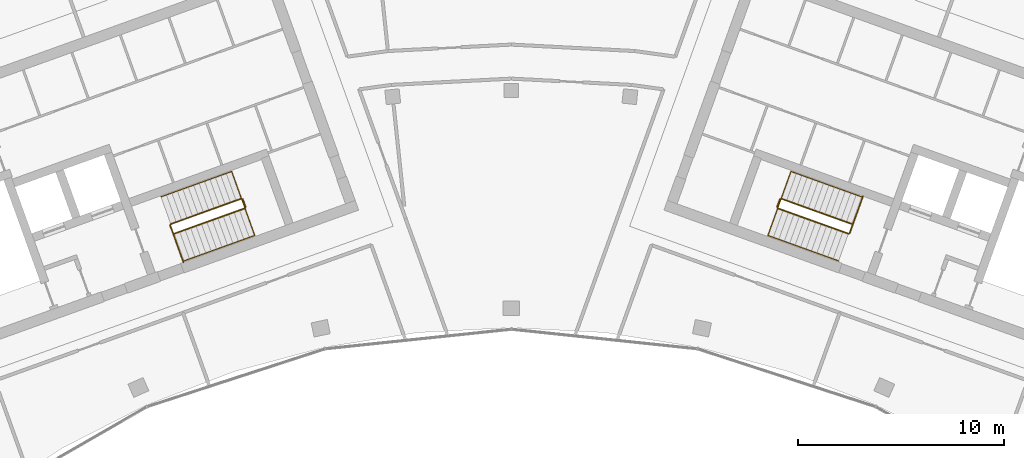
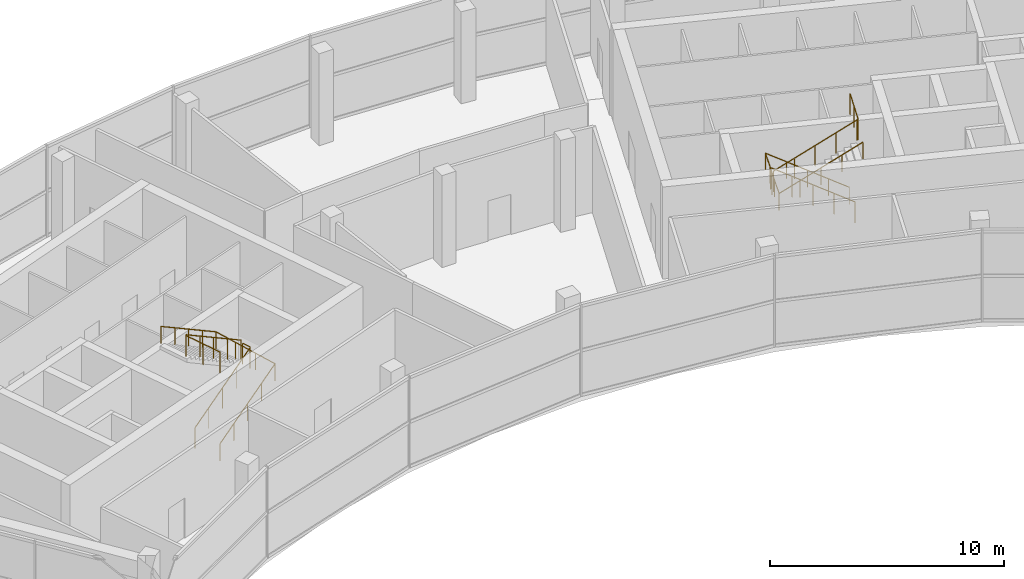
# One storey, part 13 of 13: 6 railings.
"""IFC4 building model written with IfcOpenShell, lengths in metres."""

import ifcopenshell
import ifcopenshell.guid

model = None  # the IFC model being written
_history = None  # IfcOwnerHistory: only IFC2X3 demands one
_inside = {}  # id of a spatial element -> (the spatial element, [elements in it])
_under = {}  # id of a project, library or spatial element -> (it, [spatial elements below it])
_declared = {}  # id of a project -> (the project, [libraries it declares])
_typed = {}  # id of a type object -> (the type object, [elements of that type])
_made_of = {}  # id of a material, layer set ... -> (it, [elements and type objects made of it])


def new_model(schema):
    """Start an empty IFC model of exactly this schema.

    Asked for "IFC4X3", IfcOpenShell would pick the latest addendum, in which some entities
    have other attributes; the version numbers below select the first issue.
    IFC2X3 requires an IfcOwnerHistory on every rooted entity: one is made here for all.
    """
    global model, _history
    if schema == "IFC4X3":
        model = ifcopenshell.file(schema_version=(4, 3, 0, 0))
    else:
        model = ifcopenshell.file(schema=schema)
    _inside.clear()
    _under.clear()
    _declared.clear()
    _typed.clear()
    _made_of.clear()
    _history = None
    if model.schema == "IFC2X3":
        org = make("IfcOrganization", Name="unknown")
        user = make(
            "IfcPersonAndOrganization",
            ThePerson=make("IfcPerson", FamilyName="unknown"),
            TheOrganization=org,
        )
        app = make(
            "IfcApplication",
            ApplicationDeveloper=org,
            Version="unknown",
            ApplicationFullName="unknown",
            ApplicationIdentifier="unknown",
        )
        _history = make(
            "IfcOwnerHistory",
            OwningUser=user,
            OwningApplication=app,
            ChangeAction="ADDED",
            CreationDate=0,
        )
    return model


def make(cls, **values):
    """One entity of the class cls with the attributes given. An attribute that is None is left unset."""
    return model.create_entity(
        cls, **{name: value for name, value in values.items() if value is not None}
    )


def rooted(cls, **values):
    """An entity with a GlobalId (a new one), such as an element, a storey or a relation."""
    return make(cls, GlobalId=ifcopenshell.guid.new(), OwnerHistory=_history, **values)


def si_unit(unit_type, name, prefix=None):
    """IfcSIUnit, for example si_unit("LENGTHUNIT", "METRE", prefix="MILLI")."""
    return make("IfcSIUnit", UnitType=unit_type, Prefix=prefix, Name=name)


def assignment(units):
    """IfcUnitAssignment: the units of a project."""
    return None if units is None else make("IfcUnitAssignment", Units=units)


def point(xyz):
    """IfcCartesianPoint."""
    return None if xyz is None else make("IfcCartesianPoint", Coordinates=xyz)


def direction(xyz):
    """IfcDirection."""
    return None if xyz is None else make("IfcDirection", DirectionRatios=xyz)


def frame(location, z_axis=None, x_axis=None):
    """IfcAxis2Placement3D, a coordinate frame: its origin and axes. An axis left out is left unset."""
    return make(
        "IfcAxis2Placement3D",
        Location=point(location),
        Axis=direction(z_axis),
        RefDirection=direction(x_axis),
    )


def frame_2d(location, x_axis=None):
    """IfcAxis2Placement2D, a coordinate frame in the plane: its origin and x axis."""
    return make(
        "IfcAxis2Placement2D", Location=point(location), RefDirection=direction(x_axis)
    )


def origin():
    """The frame at (0, 0, 0) with its axes left unset."""
    return frame((0.0, 0.0, 0.0))


def origin_2d():
    """The frame at (0, 0) in the plane with its x axis left unset."""
    return frame_2d((0.0, 0.0))


def place(relative_to, where):
    """IfcLocalPlacement: puts the frame where relative to a parent placement (None: the world)."""
    return make(
        "IfcLocalPlacement", PlacementRelTo=relative_to, RelativePlacement=where
    )


def context(
    kind, dimensions, precision=None, world=None, true_north=None, identifier=None
):
    """IfcGeometricRepresentationContext, for example the 3D "Model" context."""
    return make(
        "IfcGeometricRepresentationContext",
        ContextIdentifier=identifier,
        ContextType=kind,
        CoordinateSpaceDimension=dimensions,
        Precision=precision,
        WorldCoordinateSystem=world,
        TrueNorth=true_north,
    )


def subcontext(parent, identifier, kind, view, scale=None):
    """IfcGeometricRepresentationSubContext, for example "Body" below "Model"."""
    return make(
        "IfcGeometricRepresentationSubContext",
        ContextIdentifier=identifier,
        ContextType=kind,
        ParentContext=parent,
        TargetScale=scale,
        TargetView=view,
    )


def project(units=None, contexts=None):
    """IfcProject with its units and contexts."""
    return rooted(
        "IfcProject",
        Name="project",
        RepresentationContexts=contexts,
        UnitsInContext=assignment(units),
    )


def spatial(cls, under=None, at=None, **own):
    """A site, building, storey or space (cls), placed at a placement, below another one or the project."""
    s = rooted(cls, ObjectPlacement=at, **own)
    if under is not None:
        _under.setdefault(under.id(), (under, []))[1].append(s)
    return s


def profile(cls, at=None, kind="AREA", **sizes):
    """A parametric profile (cls). Its sizes go by their IFC names, for example OverallWidth=200.0."""
    return make(cls, ProfileType=kind, Position=at, **sizes)


def circle(**sizes):
    """IfcCircleProfileDef."""
    return profile("IfcCircleProfileDef", **sizes)


def extrude(swept, where, along, depth):
    """IfcExtrudedAreaSolid: the profile swept, set in the frame where, extruded along a direction by depth."""
    return make(
        "IfcExtrudedAreaSolid",
        SweptArea=swept,
        Position=where,
        ExtrudedDirection=direction(along),
        Depth=depth,
    )


def shape(context_of_items, identifier, shape_type, items):
    """IfcShapeRepresentation: the items that make up one representation, for example the "Body"."""
    return make(
        "IfcShapeRepresentation",
        ContextOfItems=context_of_items,
        RepresentationIdentifier=identifier,
        RepresentationType=shape_type,
        Items=items,
    )


def material(Name=None, Category=None):
    """IfcMaterial."""
    return make("IfcMaterial", Name=Name, Category=Category)


def made_of(thing, what):
    """Note that an element or type object is made of a material, layer set ...; save() writes the relation."""
    if what is not None:
        _made_of.setdefault(what.id(), (what, []))[1].append(thing)
    return thing


def type_object(cls, material=None, **own):
    """A type object (cls), such as IfcWallType, which elements share."""
    return made_of(rooted(cls, **own), material)


def element(
    cls,
    number,
    at=None,
    inside=None,
    cuts=None,
    type_object=None,
    material=None,
    context=None,
    identifier="Body",
    shape_type=None,
    held_by="IfcProductDefinitionShape",
    body=None,
    shapes=None,
    **own,
):
    """One element of the class cls, such as IfcWall. Its Tag is "e" and its number.

    at: its placement. inside: the storey or other place that contains it. cuts: it is an
    opening in that element (IfcRelVoidsElement). A single representation is given by context,
    identifier, shape_type and body (its items); several are given by shapes. held_by: the class
    of the entity that holds the representations. save() writes the other relations.
    """
    e = rooted(cls, Tag="e%d" % number, ObjectPlacement=at, **own)
    if body is not None:
        shapes = [shape(context, identifier, shape_type, body)]
    if shapes is not None:
        e.Representation = make(held_by, Representations=shapes)
    if inside is not None:
        _inside.setdefault(inside.id(), (inside, []))[1].append(e)
    if cuts is not None:
        rooted(
            "IfcRelVoidsElement", RelatingBuildingElement=cuts, RelatedOpeningElement=e
        )
    if type_object is not None:
        _typed.setdefault(type_object.id(), (type_object, []))[1].append(e)
    return made_of(e, material)


def aggregate(whole, parts):
    """IfcRelAggregates: a whole, such as a stair, and the parts it consists of."""
    return rooted("IfcRelAggregates", RelatingObject=whole, RelatedObjects=parts)


def save(model, path):
    """Write the relations noted so far, then the file.

    IfcRelAggregates (storeys below a building ...), IfcRelContainedInSpatialStructure (elements
    in a storey), IfcRelDefinesByType, IfcRelAssociatesMaterial and IfcRelDeclares: one each for
    every whole, place, type object, material and project.
    """
    for whole, parts in _under.values():
        aggregate(whole, parts)
    for where, things in _inside.values():
        rooted(
            "IfcRelContainedInSpatialStructure",
            RelatedElements=things,
            RelatingStructure=where,
        )
    for kind, things in _typed.values():
        rooted("IfcRelDefinesByType", RelatedObjects=things, RelatingType=kind)
    for what, things in _made_of.values():
        rooted("IfcRelAssociatesMaterial", RelatedObjects=things, RelatingMaterial=what)
    for by, libraries in _declared.values():
        rooted("IfcRelDeclares", RelatingContext=by, RelatedDefinitions=libraries)
    model.write(path)


model = new_model("IFC4")

# Units and contexts
model_context = context("Model", 3, precision=1e-05, world=origin(), true_north=direction((0.0, 1.0)))
body_context = subcontext(model_context, "Body", "Model", "MODEL_VIEW")
ifc_project = project(units=[si_unit("LENGTHUNIT", "METRE"), si_unit("AREAUNIT", "SQUARE_METRE"), si_unit("VOLUMEUNIT", "CUBIC_METRE"), si_unit("PLANEANGLEUNIT", "RADIAN"), si_unit("MASSUNIT", "GRAM", prefix="KILO")], contexts=[model_context])

# Site, building, storey
site_placement = place(None, origin())
site = spatial("IfcSite", under=ifc_project, at=site_placement, CompositionType="ELEMENT")
building_placement = place(site_placement, origin())
building = spatial("IfcBuilding", under=site, at=building_placement, Name="Stone Belt Terrace Tower", CompositionType="ELEMENT")
storey_placement = place(building_placement, frame((0.0, 0.0, 332.60009765625)))
storey = spatial("IfcBuildingStorey", under=building, at=storey_placement, Name="L79", CompositionType="ELEMENT", Elevation=332.60009765625)

# Railings
ifc_material = material(Name="Structural steel C345", Category="steel")
railing_type_1 = type_object("IfcRailingType", Name="Stair guard 1100", PredefinedType="GUARDRAIL", material=ifc_material)
railing_1_placement = place(storey_placement, frame((-16.33837890625, 48.056640625, 0.17138671875)))
element("IfcRailing", 1, at=railing_1_placement, inside=storey, type_object=railing_type_1, Name="L79 ST2A stair guard 1", PredefinedType="GUARDRAIL", context=body_context, shape_type="SweptSolid", body=[
    extrude(circle(Radius=0.02392578125, at=origin_2d()), frame((0.0, 0.0, 1.076171875), z_axis=(0.802488848793, 0.288756412339, 0.522141151314), x_axis=(-0.338574587021, 0.94093955652, 0.0)), (0.0, 0.0, 1.0), 4.26806640625),
    extrude(circle(Radius=0.02392578125, at=origin_2d()), frame((3.425048828125, 1.232421875, 3.3046875), z_axis=(0.424964916, 0.905209821074, 0.0), x_axis=(-0.905209821074, 0.424964916, 0.0)), (0.0, 0.0, 1.0), 0.070556640625),
    extrude(circle(Radius=0.02392578125, at=origin_2d()), frame((3.455078125, 1.29638671875, 3.3046875), z_axis=(-0.338654645739, 0.940910745459, 0.0), x_axis=(-0.940910745459, -0.338654645739, 0.0)), (0.0, 0.0, 1.0), 0.400146484375),
    extrude(circle(Radius=0.02099609375, at=origin_2d()), origin(), (0.0, 0.0, 1.0), 1.052001953125),
    extrude(circle(Radius=0.02099609375, at=origin_2d()), frame((0.856201171875, 0.30810546875, 0.55712890625)), (0.0, 0.0, 1.0), 1.052001953125),
    extrude(circle(Radius=0.02099609375, at=origin_2d()), frame((1.71240234375, 0.6162109375, 1.1142578125)), (0.0, 0.0, 1.0), 1.052001953125),
    extrude(circle(Radius=0.02099609375, at=origin_2d()), frame((2.56884765625, 0.92431640625, 1.67138671875)), (0.0, 0.0, 1.0), 1.052001953125),
    extrude(circle(Radius=0.02099609375, at=origin_2d()), frame((3.425048828125, 1.232421875, 2.228515625)), (0.0, 0.0, 1.0), 1.052001953125),
    extrude(circle(Radius=0.02099609375, at=origin_2d()), frame((3.455078125, 1.29638671875, 2.228515625)), (0.0, 0.0, 1.0), 1.052001953125),
    extrude(circle(Radius=0.02099609375, at=origin_2d()), frame((3.319580078125, 1.6728515625, 2.228515625)), (0.0, 0.0, 1.0), 1.052001953125),
])
railing_2_placement = place(storey_placement, frame((-13.082763671875, 49.759521484375, 2.5712890625)))
element("IfcRailing", 2, at=railing_2_placement, inside=storey, type_object=railing_type_1, Name="L79 ST2A stair guard 2", PredefinedType="GUARDRAIL", context=body_context, shape_type="SweptSolid", body=[
    extrude(circle(Radius=0.02392578125, at=origin_2d()), frame((0.0, 0.0, 1.076171875), z_axis=(-0.802468482762, -0.288769667877, 0.52216512052), x_axis=(0.338595955653, -0.940931867255, 0.0)), (0.0, 0.0, 1.0), 4.267822265625),
    extrude(circle(Radius=0.02392578125, at=origin_2d()), frame((-3.4248046875, -1.232421875, 3.3046875), z_axis=(-0.427789722475, -0.903878284585, 0.0), x_axis=(0.903878284585, -0.427789722475, 0.0)), (0.0, 0.0, 1.0), 0.07080078125),
    extrude(circle(Radius=0.02392578125, at=origin_2d()), frame((-3.455078125, -1.29638671875, 3.3046875), z_axis=(0.338687619705, -0.940898876744, 0.0), x_axis=(0.940898876744, 0.338687619705, 0.0)), (0.0, 0.0, 1.0), 1.900146484375),
    extrude(circle(Radius=0.02099609375, at=origin_2d()), origin(), (0.0, 0.0, 1.0), 1.052001953125),
    extrude(circle(Radius=0.02099609375, at=origin_2d()), frame((-0.856201171875, -0.30810546875, 0.55712890625)), (0.0, 0.0, 1.0), 1.052001953125),
    extrude(circle(Radius=0.02099609375, at=origin_2d()), frame((-1.71240234375, -0.6162109375, 1.1142578125)), (0.0, 0.0, 1.0), 1.052001953125),
    extrude(circle(Radius=0.02099609375, at=origin_2d()), frame((-2.568603515625, -0.92431640625, 1.67138671875)), (0.0, 0.0, 1.0), 1.052001953125),
    extrude(circle(Radius=0.02099609375, at=origin_2d()), frame((-3.4248046875, -1.232421875, 2.228515625)), (0.0, 0.0, 1.0), 1.052001953125),
    extrude(circle(Radius=0.02099609375, at=origin_2d()), frame((-3.455078125, -1.29638671875, 2.228515625)), (0.0, 0.0, 1.0), 1.052001953125),
    extrude(circle(Radius=0.02099609375, at=origin_2d()), frame((-3.13330078125, -2.1904296875, 2.228515625)), (0.0, 0.0, 1.0), 1.052001953125),
    extrude(circle(Radius=0.02099609375, at=origin_2d()), frame((-2.8115234375, -3.084228515625, 2.228515625)), (0.0, 0.0, 1.0), 1.052001953125),
])
railing_3_placement = place(storey_placement, frame((16.507568359375, 48.527099609375, 0.17138671875)))
element("IfcRailing", 3, at=railing_3_placement, inside=storey, type_object=railing_type_1, Name="L79 ST2B stair guard 1", PredefinedType="GUARDRAIL", context=body_context, shape_type="SweptSolid", body=[
    extrude(circle(Radius=0.02392578125, at=origin_2d()), frame((0.0, 0.0, 1.076171875), z_axis=(-0.802468482762, 0.288769667877, 0.52216512052), x_axis=(-0.338595955653, -0.940931867255, 0.0)), (0.0, 0.0, 1.0), 4.267822265625),
    extrude(circle(Radius=0.02392578125, at=origin_2d()), frame((-3.4248046875, 1.232421875, 3.3046875), z_axis=(-0.905209821074, -0.424964916, 0.0), x_axis=(0.424964916, -0.905209821074, 0.0)), (0.0, 0.0, 1.0), 0.070556640625),
    extrude(circle(Radius=0.02392578125, at=origin_2d()), frame((-3.48876953125, 1.202392578125, 3.3046875), z_axis=(-0.338654645739, -0.940910745459, 0.0), x_axis=(0.940910745459, -0.338654645739, 0.0)), (0.0, 0.0, 1.0), 0.400146484375),
    extrude(circle(Radius=0.02099609375, at=origin_2d()), origin(), (0.0, 0.0, 1.0), 1.052001953125),
    extrude(circle(Radius=0.02099609375, at=origin_2d()), frame((-0.856201171875, 0.30810546875, 0.55712890625)), (0.0, 0.0, 1.0), 1.052001953125),
    extrude(circle(Radius=0.02099609375, at=origin_2d()), frame((-1.71240234375, 0.6162109375, 1.1142578125)), (0.0, 0.0, 1.0), 1.052001953125),
    extrude(circle(Radius=0.02099609375, at=origin_2d()), frame((-2.568603515625, 0.92431640625, 1.67138671875)), (0.0, 0.0, 1.0), 1.052001953125),
    extrude(circle(Radius=0.02099609375, at=origin_2d()), frame((-3.4248046875, 1.232421875, 2.228515625)), (0.0, 0.0, 1.0), 1.052001953125),
    extrude(circle(Radius=0.02099609375, at=origin_2d()), frame((-3.48876953125, 1.202392578125, 2.228515625)), (0.0, 0.0, 1.0), 1.052001953125),
    extrude(circle(Radius=0.02099609375, at=origin_2d()), frame((-3.624267578125, 0.825927734375, 2.228515625)), (0.0, 0.0, 1.0), 1.052001953125),
])
railing_4_placement = place(storey_placement, frame((12.913330078125, 49.2890625, 2.5712890625)))
element("IfcRailing", 4, at=railing_4_placement, inside=storey, type_object=railing_type_1, Name="L79 ST2B stair guard 2", PredefinedType="GUARDRAIL", context=body_context, shape_type="SweptSolid", body=[
    extrude(circle(Radius=0.02392578125, at=origin_2d()), frame((0.0, 0.0, 1.076171875), z_axis=(0.802488848793, -0.288756412339, 0.522141151314), x_axis=(0.338574587021, 0.94093955652, 0.0)), (0.0, 0.0, 1.0), 4.26806640625),
    extrude(circle(Radius=0.02392578125, at=origin_2d()), frame((3.425048828125, -1.232421875, 3.3046875), z_axis=(0.905209821074, 0.424964916, 0.0), x_axis=(-0.424964916, 0.905209821074, 0.0)), (0.0, 0.0, 1.0), 0.070556640625),
    extrude(circle(Radius=0.02392578125, at=origin_2d()), frame((3.489013671875, -1.202392578125, 3.3046875), z_axis=(0.338573865316, 0.940939816208, 0.0), x_axis=(-0.940939816208, 0.338573865316, 0.0)), (0.0, 0.0, 1.0), 1.900146484375),
    extrude(circle(Radius=0.02099609375, at=origin_2d()), origin(), (0.0, 0.0, 1.0), 1.052001953125),
    extrude(circle(Radius=0.02099609375, at=origin_2d()), frame((0.856201171875, -0.30810546875, 0.55712890625)), (0.0, 0.0, 1.0), 1.052001953125),
    extrude(circle(Radius=0.02099609375, at=origin_2d()), frame((1.71240234375, -0.6162109375, 1.1142578125)), (0.0, 0.0, 1.0), 1.052001953125),
    extrude(circle(Radius=0.02099609375, at=origin_2d()), frame((2.56884765625, -0.92431640625, 1.67138671875)), (0.0, 0.0, 1.0), 1.052001953125),
    extrude(circle(Radius=0.02099609375, at=origin_2d()), frame((3.425048828125, -1.232421875, 2.228515625)), (0.0, 0.0, 1.0), 1.052001953125),
    extrude(circle(Radius=0.02099609375, at=origin_2d()), frame((3.489013671875, -1.202392578125, 2.228515625)), (0.0, 0.0, 1.0), 1.052001953125),
    extrude(circle(Radius=0.02099609375, at=origin_2d()), frame((3.810546875, -0.30859375, 2.228515625)), (0.0, 0.0, 1.0), 1.052001953125),
    extrude(circle(Radius=0.02099609375, at=origin_2d()), frame((4.13232421875, 0.58544921875, 2.228515625)), (0.0, 0.0, 1.0), 1.052001953125),
])
railing_type_2 = type_object("IfcRailingType", Name="Stair handrail 900", PredefinedType="HANDRAIL", material=ifc_material)
railing_5_placement = place(storey_placement, frame((-15.8642578125, 46.7392578125, 0.17138671875)))
element("IfcRailing", 5, at=railing_5_placement, inside=storey, type_object=railing_type_2, Name="L79 ST2A stair handrail 1", PredefinedType="HANDRAIL", context=body_context, shape_type="SweptSolid", body=[
    extrude(circle(Radius=0.02392578125, at=origin_2d()), frame((0.0, 0.0, 0.8759765625), z_axis=(0.802475592711, 0.288808843652, 0.522132526215), x_axis=(-0.338633967496, 0.94091818776, 0.0)), (0.0, 0.0, 1.0), 4.26806640625),
    extrude(circle(Radius=0.02392578125, at=origin_2d()), frame((3.425048828125, 1.232666015625, 3.1044921875), z_axis=(-0.338232188705, 0.939632366961, 0.051865224218), x_axis=(-0.940898728651, -0.338688031118, 0.0)), (0.0, 0.0, 1.0), 3.304443359375),
    extrude(circle(Radius=0.02392578125, at=origin_2d()), frame((2.307373046875, 4.337646484375, 3.27587890625), z_axis=(-0.802455225799, -0.288822101159, 0.522156494233), x_axis=(0.338655338905, -0.940910495972, 0.0)), (0.0, 0.0, 1.0), 4.267822265625),
    extrude(circle(Radius=0.02099609375, at=origin_2d()), origin(), (0.0, 0.0, 1.0), 0.851806640625),
    extrude(circle(Radius=0.02099609375, at=origin_2d()), frame((0.856201171875, 0.30810546875, 0.55712890625)), (0.0, 0.0, 1.0), 0.851806640625),
    extrude(circle(Radius=0.02099609375, at=origin_2d()), frame((1.71240234375, 0.6162109375, 1.1142578125)), (0.0, 0.0, 1.0), 0.851806640625),
    extrude(circle(Radius=0.02099609375, at=origin_2d()), frame((2.56884765625, 0.924560546875, 1.67138671875)), (0.0, 0.0, 1.0), 0.851806640625),
    extrude(circle(Radius=0.02099609375, at=origin_2d()), frame((3.425048828125, 1.232666015625, 2.228515625)), (0.0, 0.0, 1.0), 0.851806640625),
    extrude(circle(Radius=0.02099609375, at=origin_2d()), frame((3.052490234375, 2.267578125, 2.28564453125)), (0.0, 0.0, 1.0), 0.851806640625),
    extrude(circle(Radius=0.02099609375, at=origin_2d()), frame((2.679931640625, 3.302734375, 2.3427734375)), (0.0, 0.0, 1.0), 0.851806640625),
    extrude(circle(Radius=0.02099609375, at=origin_2d()), frame((2.307373046875, 4.337646484375, 2.39990234375)), (0.0, 0.0, 1.0), 0.851806640625),
    extrude(circle(Radius=0.02099609375, at=origin_2d()), frame((1.451171875, 4.029541015625, 2.95703125)), (0.0, 0.0, 1.0), 0.851806640625),
    extrude(circle(Radius=0.02099609375, at=origin_2d()), frame((0.594970703125, 3.72119140625, 3.51416015625)), (0.0, 0.0, 1.0), 0.851806640625),
    extrude(circle(Radius=0.02099609375, at=origin_2d()), frame((-0.26123046875, 3.4130859375, 4.0712890625)), (0.0, 0.0, 1.0), 0.851806640625),
    extrude(circle(Radius=0.02099609375, at=origin_2d()), frame((-1.117431640625, 3.10498046875, 4.62841796875)), (0.0, 0.0, 1.0), 0.851806640625),
])
railing_6_placement = place(storey_placement, frame((16.981689453125, 49.84423828125, 0.17138671875)))
element("IfcRailing", 6, at=railing_6_placement, inside=storey, type_object=railing_type_2, Name="L79 ST2B stair handrail 1", PredefinedType="HANDRAIL", context=body_context, shape_type="SweptSolid", body=[
    extrude(circle(Radius=0.02392578125, at=origin_2d()), frame((0.0, 0.0, 0.8759765625), z_axis=(-0.802455225799, 0.288822101159, 0.522156494233), x_axis=(-0.338655338905, -0.940910495972, 0.0)), (0.0, 0.0, 1.0), 4.267822265625),
    extrude(circle(Radius=0.02392578125, at=origin_2d()), frame((-3.4248046875, 1.232666015625, 3.1044921875), z_axis=(-0.338232188705, -0.939632366961, 0.051865224218), x_axis=(0.940898728651, -0.338688031118, 0.0)), (0.0, 0.0, 1.0), 3.304443359375),
    extrude(circle(Radius=0.02392578125, at=origin_2d()), frame((-4.54248046875, -1.872314453125, 3.27587890625), z_axis=(0.802475592711, -0.288808843652, 0.522132526215), x_axis=(0.338633967496, 0.94091818776, 0.0)), (0.0, 0.0, 1.0), 4.26806640625),
    extrude(circle(Radius=0.02099609375, at=origin_2d()), origin(), (0.0, 0.0, 1.0), 0.851806640625),
    extrude(circle(Radius=0.02099609375, at=origin_2d()), frame((-0.856201171875, 0.30810546875, 0.55712890625)), (0.0, 0.0, 1.0), 0.851806640625),
    extrude(circle(Radius=0.02099609375, at=origin_2d()), frame((-1.71240234375, 0.6162109375, 1.1142578125)), (0.0, 0.0, 1.0), 0.851806640625),
    extrude(circle(Radius=0.02099609375, at=origin_2d()), frame((-2.568603515625, 0.924560546875, 1.67138671875)), (0.0, 0.0, 1.0), 0.851806640625),
    extrude(circle(Radius=0.02099609375, at=origin_2d()), frame((-3.4248046875, 1.232666015625, 2.228515625)), (0.0, 0.0, 1.0), 0.851806640625),
    extrude(circle(Radius=0.02099609375, at=origin_2d()), frame((-3.79736328125, 0.19775390625, 2.28564453125)), (0.0, 0.0, 1.0), 0.851806640625),
    extrude(circle(Radius=0.02099609375, at=origin_2d()), frame((-4.169921875, -0.83740234375, 2.3427734375)), (0.0, 0.0, 1.0), 0.851806640625),
    extrude(circle(Radius=0.02099609375, at=origin_2d()), frame((-4.54248046875, -1.872314453125, 2.39990234375)), (0.0, 0.0, 1.0), 0.851806640625),
    extrude(circle(Radius=0.02099609375, at=origin_2d()), frame((-3.686279296875, -2.180419921875, 2.95703125)), (0.0, 0.0, 1.0), 0.851806640625),
    extrude(circle(Radius=0.02099609375, at=origin_2d()), frame((-2.830078125, -2.48876953125, 3.51416015625)), (0.0, 0.0, 1.0), 0.851806640625),
    extrude(circle(Radius=0.02099609375, at=origin_2d()), frame((-1.9736328125, -2.796875, 4.0712890625)), (0.0, 0.0, 1.0), 0.851806640625),
    extrude(circle(Radius=0.02099609375, at=origin_2d()), frame((-1.117431640625, -3.10498046875, 4.62841796875)), (0.0, 0.0, 1.0), 0.851806640625),
])

save(model, "model.ifc")
